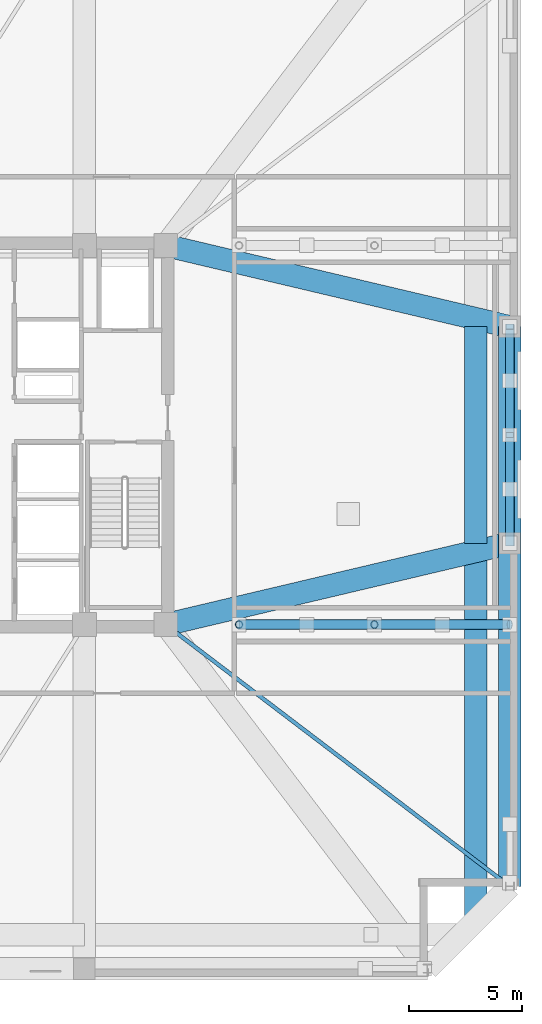
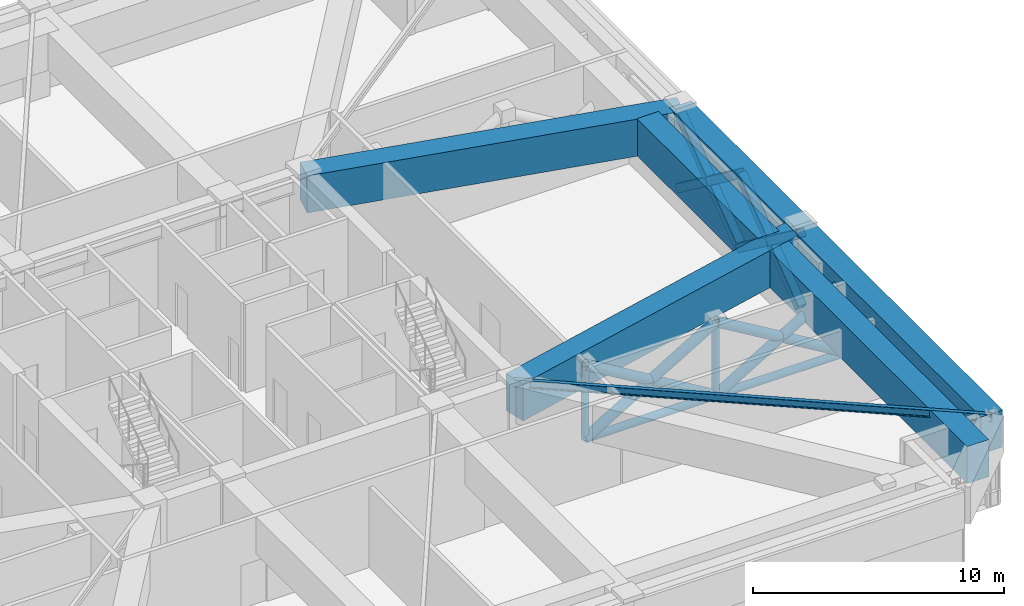
# One storey, part 4 of 13: 15 members, 7 beams.
"""IFC4 building model written with IfcOpenShell, lengths in metres."""

from ifc_helpers import new_model, si_unit, direction, frame, origin, origin_2d, place, context, subcontext, project, spatial, rectangle, hollow_rectangle, hollow_circle, i_section, extrude, material, material_profile, profile_set, type_object, element, save


model = new_model("IFC4")

# Units and contexts
model_context = context("Model", 3, precision=1e-05, world=origin(), true_north=direction((0.0, 1.0)))
body_context = subcontext(model_context, "Body", "Model", "MODEL_VIEW")
ifc_project = project(units=[si_unit("LENGTHUNIT", "METRE"), si_unit("AREAUNIT", "SQUARE_METRE"), si_unit("VOLUMEUNIT", "CUBIC_METRE"), si_unit("PLANEANGLEUNIT", "RADIAN"), si_unit("MASSUNIT", "GRAM", prefix="KILO")], contexts=[model_context])

# Site, building, storey
site_placement = place(None, origin())
site = spatial("IfcSite", under=ifc_project, at=site_placement, CompositionType="ELEMENT")
building_placement = place(site_placement, origin())
building = spatial("IfcBuilding", under=site, at=building_placement, Name="Cairnveth Concourse Tower", CompositionType="ELEMENT")
storey_placement = place(building_placement, frame((0.0, 0.0, 193.5)))
storey = spatial("IfcBuildingStorey", under=building, at=storey_placement, Name="L53", CompositionType="ELEMENT", Elevation=193.5)

# Members
ifc_material_1 = material(Name="Steel C350L0 (350 MPa)", Category="steel")
ifc_material_profile_1 = material_profile(ifc_material_1, hollow_circle(Radius=0.177734375, WallThickness=0.01611328125, at=origin_2d()), Name="355.6x16.0CHS")
ifc_profile_set_1 = profile_set([ifc_material_profile_1], Name="Steel C350L0 (350 MPa)")
member_type_1 = type_object("IfcMemberType", Name="BELT TRUSS CHORD 355.6X16CHS", PredefinedType="CHORD", material=ifc_profile_set_1)
member_1_placement = place(storey_placement, frame((63.64990234375, 30.60009765625, 0.25), z_axis=(1.0, 0.0, 0.0), x_axis=(0.0, 1.0, 0.0)))
element("IfcMember", 1, at=member_1_placement, inside=storey, type_object=member_type_1, Name="Structural Brace OUT-OE1A-CH L53", PredefinedType="CHORD", context=body_context, shape_type="SweptSolid", body=[
    extrude(hollow_circle(Radius=0.177734375, WallThickness=0.01611328125, at=origin_2d()), origin(), (0.0, 0.0, 1.0), 12.0),
])
ifc_material_profile_2 = material_profile(ifc_material_1, hollow_rectangle(XDim=0.39990234375, YDim=0.39990234375, WallThickness=0.01611328125, InnerFilletRadius=0.01611328125, OuterFilletRadius=0.031982421875, at=origin_2d()), Name="400x400x16.0SHS")
ifc_profile_set_2 = profile_set([ifc_material_profile_2], Name="Steel C350L0 (350 MPa)")
member_type_2 = type_object("IfcMemberType", Name="BELT TRUSS DIAGONAL 400X400X16SHS", PredefinedType="BRACE", material=ifc_profile_set_2)
member_2_placement = place(storey_placement, frame((75.64990234375, 34.199951171875, 0.25), z_axis=(0.0, 0.800795977004, 0.598937228109), x_axis=(-1.0, 0.0, 0.0)))
element("IfcMember", 2, at=member_2_placement, inside=storey, type_object=member_type_2, Name="Structural Brace BLT-BE1A L53", PredefinedType="BRACE", context=body_context, shape_type="SweptSolid", body=[
    extrude(hollow_rectangle(XDim=0.39990234375, YDim=0.39990234375, WallThickness=0.01611328125, InnerFilletRadius=0.01611328125, OuterFilletRadius=0.031982421875, at=origin_2d()), origin(), (0.0, 0.0, 1.0), 5.994140625),
])
for number, where, z_axis, x_axis, name in (
    (3, (75.64990234375, 39.0, 0.25), (0.0, -0.800814731391, 0.598912152145), (1.0, 0.0, 0.0), "Structural Brace BLT-BE1B1 L53"),
    (4, (75.64990234375, 36.587890625, 2.053955078125), (0.0, -0.800775463126, 0.598964654763), (1.0, 0.0, 0.0), "Structural Brace BLT-BE1B2 L53"),
):
    element("IfcMember", number, at=place(storey_placement, frame(where, z_axis=z_axis, x_axis=x_axis)), inside=storey, type_object=member_type_2, Name=name, PredefinedType="BRACE", context=body_context, shape_type="SweptSolid", body=[
        extrude(hollow_rectangle(XDim=0.39990234375, YDim=0.39990234375, WallThickness=0.01611328125, InnerFilletRadius=0.01611328125, OuterFilletRadius=0.031982421875, at=origin_2d()), origin(), (0.0, 0.0, 1.0), 2.98193359375),
    ])
member_3_placement = place(storey_placement, frame((75.64990234375, 39.0, 0.25), z_axis=(0.0, 0.800795977004, 0.598937228109), x_axis=(-1.0, 0.0, 0.0)))
element("IfcMember", 5, at=member_3_placement, inside=storey, type_object=member_type_2, Name="Structural Brace BLT-BE2A L53", PredefinedType="BRACE", context=body_context, shape_type="SweptSolid", body=[
    extrude(hollow_rectangle(XDim=0.39990234375, YDim=0.39990234375, WallThickness=0.01611328125, InnerFilletRadius=0.01611328125, OuterFilletRadius=0.031982421875, at=origin_2d()), origin(), (0.0, 0.0, 1.0), 5.994140625),
])
for number, where, z_axis, x_axis, name in (
    (6, (75.64990234375, 43.800048828125, 0.25), (0.0, -0.800814731391, 0.598912152145), (1.0, 0.0, 0.0), "Structural Brace BLT-BE2B1 L53"),
    (7, (75.64990234375, 41.387939453125, 2.053955078125), (0.0, -0.800775463126, 0.598964654763), (1.0, 0.0, 0.0), "Structural Brace BLT-BE2B2 L53"),
):
    element("IfcMember", number, at=place(storey_placement, frame(where, z_axis=z_axis, x_axis=x_axis)), inside=storey, type_object=member_type_2, Name=name, PredefinedType="BRACE", context=body_context, shape_type="SweptSolid", body=[
        extrude(hollow_rectangle(XDim=0.39990234375, YDim=0.39990234375, WallThickness=0.01611328125, InnerFilletRadius=0.01611328125, OuterFilletRadius=0.031982421875, at=origin_2d()), origin(), (0.0, 0.0, 1.0), 2.98193359375),
    ])

# Beams
ifc_material_2 = material(Name="Concrete N65 (65 MPa)", Category="concrete")
ifc_material_profile_3 = material_profile(ifc_material_2, rectangle(XDim=1.0, YDim=1.800048828125, at=origin_2d()), Name="RC-TB-1000x1800")
ifc_profile_set_3 = profile_set([ifc_material_profile_3], Name="Concrete N65 (65 MPa)")
beam_type_1 = type_object("IfcBeamType", Name="CONCRETE TRANSFER GIRDER 1000X1800", PredefinedType="BEAM", material=ifc_profile_set_3)
beam_1_placement = place(storey_placement, frame((75.64990234375, 19.0, 3.389892578125), z_axis=(0.0, 1.0, 0.0), x_axis=(-1.0, 0.0, 0.0)))
element("IfcBeam", 8, at=beam_1_placement, inside=storey, type_object=beam_type_1, Name="Beam SP-E1 L53", PredefinedType="BEAM", context=body_context, shape_type="SweptSolid", body=[
    extrude(rectangle(XDim=1.0, YDim=1.800048828125, at=origin_2d()), origin(), (0.0, 0.0, 1.0), 15.199951171875),
])
beam_2_placement = place(storey_placement, frame((75.64990234375, 34.199951171875, 3.389892578125), z_axis=(0.0, 1.0, 0.0), x_axis=(-1.0, 0.0, 0.0)))
element("IfcBeam", 9, at=beam_2_placement, inside=storey, type_object=beam_type_1, Name="Beam SP-E2 L53", PredefinedType="BEAM", context=body_context, shape_type="SweptSolid", body=[
    extrude(rectangle(XDim=1.0, YDim=1.800048828125, at=origin_2d()), origin(), (0.0, 0.0, 1.0), 9.60009765625),
])
for number, where, z_axis, x_axis, name in (
    (10, (60.39990234375, 30.60009765625, 3.389892578125), (0.973251602929, 0.229741849468, 0.0), (-0.229741849468, 0.973251602929, 0.0), "Beam RG-E1 L53"),
    (11, (60.39990234375, 47.39990234375, 3.389892578125), (0.973251602929, -0.229741849468, 0.0), (0.229741849468, 0.973251602929, 0.0), "Beam RG-E2 L53"),
):
    element("IfcBeam", number, at=place(storey_placement, frame(where, z_axis=z_axis, x_axis=x_axis)), inside=storey, type_object=beam_type_1, Name=name, PredefinedType="BEAM", context=body_context, shape_type="SweptSolid", body=[
        extrude(rectangle(XDim=1.0, YDim=1.800048828125, at=origin_2d()), origin(), (0.0, 0.0, 1.0), 15.669189453125),
    ])
beam_3_placement = place(storey_placement, frame((74.14990234375, 17.5, 3.389892578125), z_axis=(0.0, 1.0, 0.0), x_axis=(-1.0, 0.0, 0.0)))
element("IfcBeam", 12, at=beam_3_placement, inside=storey, type_object=beam_type_1, Name="Beam STG-E1 L53", PredefinedType="BEAM", context=body_context, shape_type="SweptSolid", body=[
    extrude(rectangle(XDim=1.0, YDim=1.800048828125, at=origin_2d()), origin(), (0.0, 0.0, 1.0), 16.699951171875),
])
beam_4_placement = place(storey_placement, frame((74.14990234375, 34.199951171875, 3.389892578125), z_axis=(0.0, 1.0, 0.0), x_axis=(-1.0, 0.0, 0.0)))
element("IfcBeam", 13, at=beam_4_placement, inside=storey, type_object=beam_type_1, Name="Beam STG-E2 L53", PredefinedType="BEAM", context=body_context, shape_type="SweptSolid", body=[
    extrude(rectangle(XDim=1.0, YDim=1.800048828125, at=origin_2d()), origin(), (0.0, 0.0, 1.0), 9.60009765625),
])

# Members
ifc_material_profile_4 = material_profile(ifc_material_1, hollow_circle(Radius=0.228515625, WallThickness=0.01611328125, at=origin_2d()), Name="457.0x16.0CHS")
ifc_profile_set_4 = profile_set([ifc_material_profile_4], Name="Steel C350L0 (350 MPa)")
member_type_3 = type_object("IfcMemberType", Name="OUTRIGGER DIAGONAL 457X16CHS", PredefinedType="BRACE", material=ifc_profile_set_4)
member_4_placement = place(storey_placement, frame((63.64990234375, 30.60009765625, 0.25), z_axis=(0.858117715439, 0.0, 0.513453003155), x_axis=(0.0, 1.0, 0.0)))
element("IfcMember", 14, at=member_4_placement, inside=storey, type_object=member_type_3, Name="Structural Brace OUT-OE1A-P1A L53", PredefinedType="BRACE", context=body_context, shape_type="SweptSolid", body=[
    extrude(hollow_circle(Radius=0.228515625, WallThickness=0.01611328125, at=origin_2d()), origin(), (0.0, 0.0, 1.0), 6.991943359375),
])
member_5_placement = place(storey_placement, frame((63.64990234375, 30.60009765625, 3.840087890625), z_axis=(0.85812963974, 0.0, -0.513433073924), x_axis=(0.0, 1.0, 0.0)))
element("IfcMember", 15, at=member_5_placement, inside=storey, type_object=member_type_3, Name="Structural Brace OUT-OE1A-P1B1 L53", PredefinedType="BRACE", context=body_context, shape_type="SweptSolid", body=[
    extrude(hollow_circle(Radius=0.228515625, WallThickness=0.01611328125, at=origin_2d()), origin(), (0.0, 0.0, 1.0), 3.481201171875),
])
member_6_placement = place(storey_placement, frame((66.662841796875, 30.60009765625, 2.037353515625), z_axis=(0.858111150446, 0.0, -0.51346397486), x_axis=(0.0, 1.0, 0.0)))
element("IfcMember", 16, at=member_6_placement, inside=storey, type_object=member_type_3, Name="Structural Brace OUT-OE1A-P1B2 L53", PredefinedType="BRACE", context=body_context, shape_type="SweptSolid", body=[
    extrude(hollow_circle(Radius=0.228515625, WallThickness=0.01611328125, at=origin_2d()), origin(), (0.0, 0.0, 1.0), 3.48095703125),
])
member_7_placement = place(storey_placement, frame((69.64990234375, 30.60009765625, 0.25), z_axis=(0.858117715439, 0.0, 0.513453003155), x_axis=(0.0, 1.0, 0.0)))
element("IfcMember", 17, at=member_7_placement, inside=storey, type_object=member_type_3, Name="Structural Brace OUT-OE1A-P2A L53", PredefinedType="BRACE", context=body_context, shape_type="SweptSolid", body=[
    extrude(hollow_circle(Radius=0.228515625, WallThickness=0.01611328125, at=origin_2d()), origin(), (0.0, 0.0, 1.0), 6.991943359375),
])
member_8_placement = place(storey_placement, frame((69.64990234375, 30.60009765625, 3.840087890625), z_axis=(0.85812963974, 0.0, -0.513433073924), x_axis=(0.0, 1.0, 0.0)))
element("IfcMember", 18, at=member_8_placement, inside=storey, type_object=member_type_3, Name="Structural Brace OUT-OE1A-P2B1 L53", PredefinedType="BRACE", context=body_context, shape_type="SweptSolid", body=[
    extrude(hollow_circle(Radius=0.228515625, WallThickness=0.01611328125, at=origin_2d()), origin(), (0.0, 0.0, 1.0), 3.481201171875),
])
member_9_placement = place(storey_placement, frame((72.662841796875, 30.60009765625, 2.037353515625), z_axis=(0.858111150446, 0.0, -0.51346397486), x_axis=(0.0, 1.0, 0.0)))
element("IfcMember", 19, at=member_9_placement, inside=storey, type_object=member_type_3, Name="Structural Brace OUT-OE1A-P2B2 L53", PredefinedType="BRACE", context=body_context, shape_type="SweptSolid", body=[
    extrude(hollow_circle(Radius=0.228515625, WallThickness=0.01611328125, at=origin_2d()), origin(), (0.0, 0.0, 1.0), 3.48095703125),
])
ifc_material_profile_5 = material_profile(ifc_material_1, hollow_circle(Radius=0.161865234375, WallThickness=0.0126953125, at=origin_2d()), Name="323.9x12.7CHS")
ifc_profile_set_5 = profile_set([ifc_material_profile_5], Name="Steel C350L0 (350 MPa)")
member_type_4 = type_object("IfcMemberType", Name="OUTRIGGER KING STRUT 323.9X12.7CHS", PredefinedType="STRUT", material=ifc_profile_set_5)
for number, where, z_axis, x_axis, name in (
    (20, (69.64990234375, 30.60009765625, 0.25), (0.0, 0.0, 1.0), (1.0, 0.0, 0.0), "Structural Brace OUT-OE1A-SR L53"),
    (21, (63.64990234375, 30.60009765625, 0.25), (0.0, 0.0, 1.0), (1.0, 0.0, 0.0), "Structural Brace OUT-OE1A-SRE L53"),
):
    element("IfcMember", number, at=place(storey_placement, frame(where, z_axis=z_axis, x_axis=x_axis)), inside=storey, type_object=member_type_4, Name=name, PredefinedType="STRUT", context=body_context, shape_type="SweptSolid", body=[
        extrude(hollow_circle(Radius=0.161865234375, WallThickness=0.0126953125, at=origin_2d()), origin(), (0.0, 0.0, 1.0), 3.590087890625),
    ])

# Beam
ifc_material_3 = material(Name="Steel Grade 350", Category="steel")
ifc_material_profile_6 = material_profile(ifc_material_3, i_section(OverallWidth=0.172119140625, OverallDepth=0.35888671875, WebThickness=0.008056640625, FlangeThickness=0.012939453125, FilletRadius=0.010986328125, at=origin_2d()), Name="360UB56.7")
ifc_profile_set_6 = profile_set([ifc_material_profile_6], Name="Steel Grade 350")
beam_type_2 = type_object("IfcBeamType", Name="ZONE 2 FLOOR JOIST 360UB56.7", PredefinedType="JOIST", material=ifc_profile_set_6)
beam_5_placement = place(storey_placement, frame((75.64990234375, 19.0, 4.110595703125), z_axis=(-0.795908242904, 0.6054172684, 0.0), x_axis=(-0.6054172684, -0.795908242904, 0.0)))
element("IfcBeam", 22, at=beam_5_placement, inside=storey, type_object=beam_type_2, Name="Beam FJ-CSE2 L53", PredefinedType="JOIST", context=body_context, shape_type="SweptSolid", body=[
    extrude(i_section(OverallWidth=0.172119140625, OverallDepth=0.35888671875, WebThickness=0.008056640625, FlangeThickness=0.012939453125, FilletRadius=0.010986328125, at=origin_2d()), origin(), (0.0, 0.0, 1.0), 19.160400390625),
])

save(model, "model.ifc")
